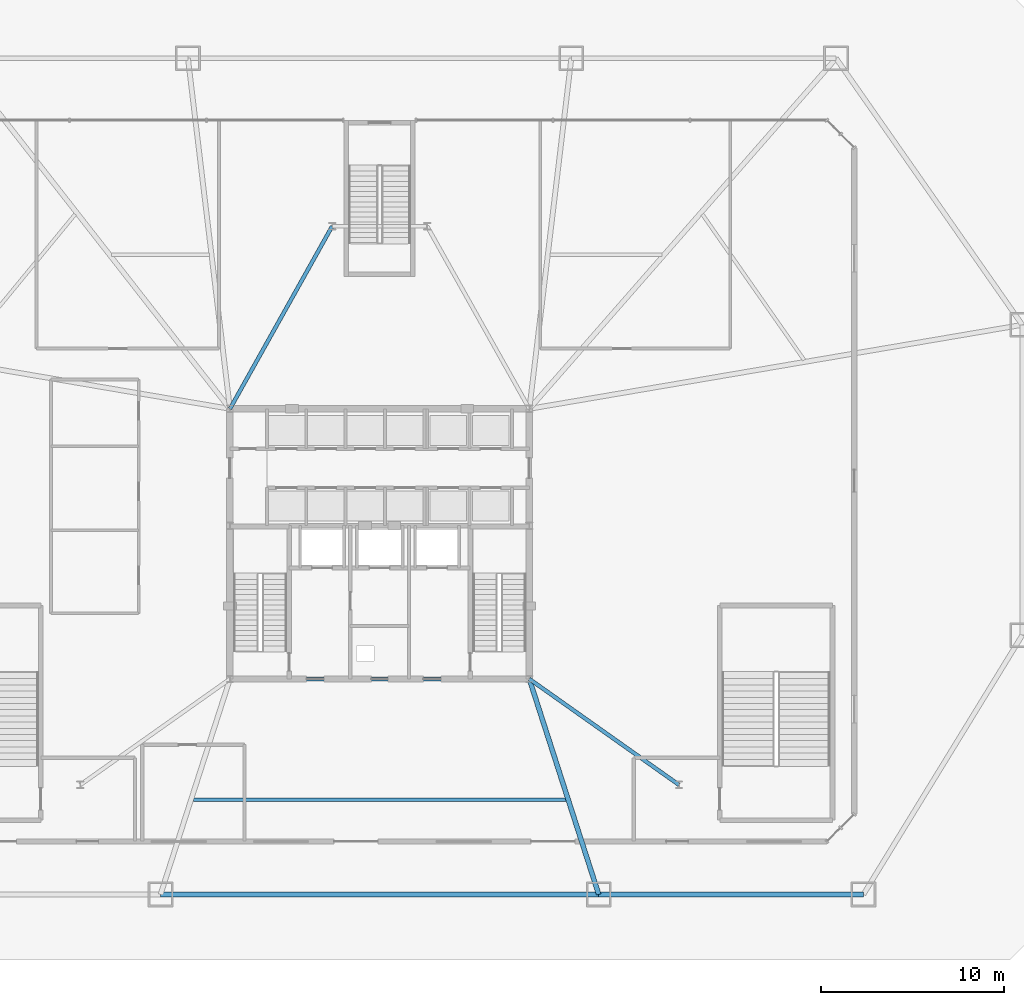
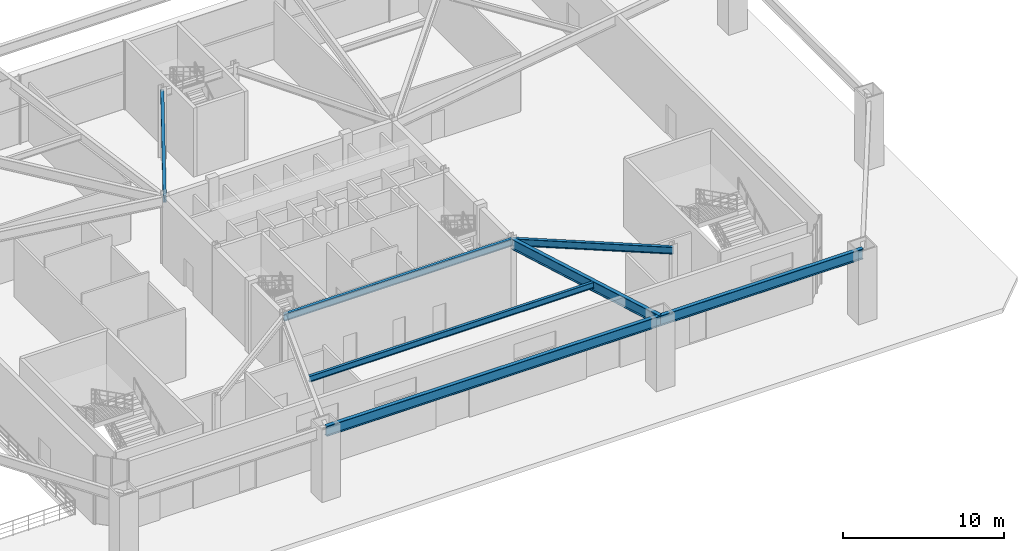
# One storey, part 6 of 20: 7 beams.
"""IFC4 building model written with IfcOpenShell, lengths in metres."""

import ifcopenshell
import ifcopenshell.guid

model = None  # the IFC model being written
_history = None  # IfcOwnerHistory: only IFC2X3 demands one
_inside = {}  # id of a spatial element -> (the spatial element, [elements in it])
_under = {}  # id of a project, library or spatial element -> (it, [spatial elements below it])
_declared = {}  # id of a project -> (the project, [libraries it declares])
_typed = {}  # id of a type object -> (the type object, [elements of that type])
_made_of = {}  # id of a material, layer set ... -> (it, [elements and type objects made of it])


def new_model(schema):
    """Start an empty IFC model of exactly this schema.

    Asked for "IFC4X3", IfcOpenShell would pick the latest addendum, in which some entities
    have other attributes; the version numbers below select the first issue.
    IFC2X3 requires an IfcOwnerHistory on every rooted entity: one is made here for all.
    """
    global model, _history
    if schema == "IFC4X3":
        model = ifcopenshell.file(schema_version=(4, 3, 0, 0))
    else:
        model = ifcopenshell.file(schema=schema)
    _inside.clear()
    _under.clear()
    _declared.clear()
    _typed.clear()
    _made_of.clear()
    _history = None
    if model.schema == "IFC2X3":
        org = make("IfcOrganization", Name="unknown")
        user = make(
            "IfcPersonAndOrganization",
            ThePerson=make("IfcPerson", FamilyName="unknown"),
            TheOrganization=org,
        )
        app = make(
            "IfcApplication",
            ApplicationDeveloper=org,
            Version="unknown",
            ApplicationFullName="unknown",
            ApplicationIdentifier="unknown",
        )
        _history = make(
            "IfcOwnerHistory",
            OwningUser=user,
            OwningApplication=app,
            ChangeAction="ADDED",
            CreationDate=0,
        )
    return model


def make(cls, **values):
    """One entity of the class cls with the attributes given. An attribute that is None is left unset."""
    return model.create_entity(
        cls, **{name: value for name, value in values.items() if value is not None}
    )


def rooted(cls, **values):
    """An entity with a GlobalId (a new one), such as an element, a storey or a relation."""
    return make(cls, GlobalId=ifcopenshell.guid.new(), OwnerHistory=_history, **values)


def si_unit(unit_type, name, prefix=None):
    """IfcSIUnit, for example si_unit("LENGTHUNIT", "METRE", prefix="MILLI")."""
    return make("IfcSIUnit", UnitType=unit_type, Prefix=prefix, Name=name)


def assignment(units):
    """IfcUnitAssignment: the units of a project."""
    return None if units is None else make("IfcUnitAssignment", Units=units)


def point(xyz):
    """IfcCartesianPoint."""
    return None if xyz is None else make("IfcCartesianPoint", Coordinates=xyz)


def direction(xyz):
    """IfcDirection."""
    return None if xyz is None else make("IfcDirection", DirectionRatios=xyz)


def frame(location, z_axis=None, x_axis=None):
    """IfcAxis2Placement3D, a coordinate frame: its origin and axes. An axis left out is left unset."""
    return make(
        "IfcAxis2Placement3D",
        Location=point(location),
        Axis=direction(z_axis),
        RefDirection=direction(x_axis),
    )


def frame_2d(location, x_axis=None):
    """IfcAxis2Placement2D, a coordinate frame in the plane: its origin and x axis."""
    return make(
        "IfcAxis2Placement2D", Location=point(location), RefDirection=direction(x_axis)
    )


def origin():
    """The frame at (0, 0, 0) with its axes left unset."""
    return frame((0.0, 0.0, 0.0))


def origin_2d():
    """The frame at (0, 0) in the plane with its x axis left unset."""
    return frame_2d((0.0, 0.0))


def place(relative_to, where):
    """IfcLocalPlacement: puts the frame where relative to a parent placement (None: the world)."""
    return make(
        "IfcLocalPlacement", PlacementRelTo=relative_to, RelativePlacement=where
    )


def context(
    kind, dimensions, precision=None, world=None, true_north=None, identifier=None
):
    """IfcGeometricRepresentationContext, for example the 3D "Model" context."""
    return make(
        "IfcGeometricRepresentationContext",
        ContextIdentifier=identifier,
        ContextType=kind,
        CoordinateSpaceDimension=dimensions,
        Precision=precision,
        WorldCoordinateSystem=world,
        TrueNorth=true_north,
    )


def subcontext(parent, identifier, kind, view, scale=None):
    """IfcGeometricRepresentationSubContext, for example "Body" below "Model"."""
    return make(
        "IfcGeometricRepresentationSubContext",
        ContextIdentifier=identifier,
        ContextType=kind,
        ParentContext=parent,
        TargetScale=scale,
        TargetView=view,
    )


def project(units=None, contexts=None):
    """IfcProject with its units and contexts."""
    return rooted(
        "IfcProject",
        Name="project",
        RepresentationContexts=contexts,
        UnitsInContext=assignment(units),
    )


def spatial(cls, under=None, at=None, **own):
    """A site, building, storey or space (cls), placed at a placement, below another one or the project."""
    s = rooted(cls, ObjectPlacement=at, **own)
    if under is not None:
        _under.setdefault(under.id(), (under, []))[1].append(s)
    return s


def profile(cls, at=None, kind="AREA", **sizes):
    """A parametric profile (cls). Its sizes go by their IFC names, for example OverallWidth=200.0."""
    return make(cls, ProfileType=kind, Position=at, **sizes)


def i_section(**sizes):
    """IfcIShapeProfileDef."""
    return profile("IfcIShapeProfileDef", **sizes)


def extrude(swept, where, along, depth):
    """IfcExtrudedAreaSolid: the profile swept, set in the frame where, extruded along a direction by depth."""
    return make(
        "IfcExtrudedAreaSolid",
        SweptArea=swept,
        Position=where,
        ExtrudedDirection=direction(along),
        Depth=depth,
    )


def shape(context_of_items, identifier, shape_type, items):
    """IfcShapeRepresentation: the items that make up one representation, for example the "Body"."""
    return make(
        "IfcShapeRepresentation",
        ContextOfItems=context_of_items,
        RepresentationIdentifier=identifier,
        RepresentationType=shape_type,
        Items=items,
    )


def material(Name=None, Category=None):
    """IfcMaterial."""
    return make("IfcMaterial", Name=Name, Category=Category)


def material_profile(
    of_material, cross_section, Name=None, Category=None, Priority=None
):
    """IfcMaterialProfile: a cross section and its material."""
    return make(
        "IfcMaterialProfile",
        Name=Name,
        Material=of_material,
        Profile=cross_section,
        Priority=Priority,
        Category=Category,
    )


def profile_set(profiles, Name=None, composite=None):
    """IfcMaterialProfileSet."""
    return make(
        "IfcMaterialProfileSet",
        Name=Name,
        MaterialProfiles=profiles,
        CompositeProfile=composite,
    )


def made_of(thing, what):
    """Note that an element or type object is made of a material, layer set ...; save() writes the relation."""
    if what is not None:
        _made_of.setdefault(what.id(), (what, []))[1].append(thing)
    return thing


def type_object(cls, material=None, **own):
    """A type object (cls), such as IfcWallType, which elements share."""
    return made_of(rooted(cls, **own), material)


def element(
    cls,
    number,
    at=None,
    inside=None,
    cuts=None,
    type_object=None,
    material=None,
    context=None,
    identifier="Body",
    shape_type=None,
    held_by="IfcProductDefinitionShape",
    body=None,
    shapes=None,
    **own,
):
    """One element of the class cls, such as IfcWall. Its Tag is "e" and its number.

    at: its placement. inside: the storey or other place that contains it. cuts: it is an
    opening in that element (IfcRelVoidsElement). A single representation is given by context,
    identifier, shape_type and body (its items); several are given by shapes. held_by: the class
    of the entity that holds the representations. save() writes the other relations.
    """
    e = rooted(cls, Tag="e%d" % number, ObjectPlacement=at, **own)
    if body is not None:
        shapes = [shape(context, identifier, shape_type, body)]
    if shapes is not None:
        e.Representation = make(held_by, Representations=shapes)
    if inside is not None:
        _inside.setdefault(inside.id(), (inside, []))[1].append(e)
    if cuts is not None:
        rooted(
            "IfcRelVoidsElement", RelatingBuildingElement=cuts, RelatedOpeningElement=e
        )
    if type_object is not None:
        _typed.setdefault(type_object.id(), (type_object, []))[1].append(e)
    return made_of(e, material)


def aggregate(whole, parts):
    """IfcRelAggregates: a whole, such as a stair, and the parts it consists of."""
    return rooted("IfcRelAggregates", RelatingObject=whole, RelatedObjects=parts)


def save(model, path):
    """Write the relations noted so far, then the file.

    IfcRelAggregates (storeys below a building ...), IfcRelContainedInSpatialStructure (elements
    in a storey), IfcRelDefinesByType, IfcRelAssociatesMaterial and IfcRelDeclares: one each for
    every whole, place, type object, material and project.
    """
    for whole, parts in _under.values():
        aggregate(whole, parts)
    for where, things in _inside.values():
        rooted(
            "IfcRelContainedInSpatialStructure",
            RelatedElements=things,
            RelatingStructure=where,
        )
    for kind, things in _typed.values():
        rooted("IfcRelDefinesByType", RelatedObjects=things, RelatingType=kind)
    for what, things in _made_of.values():
        rooted("IfcRelAssociatesMaterial", RelatedObjects=things, RelatingMaterial=what)
    for by, libraries in _declared.values():
        rooted("IfcRelDeclares", RelatingContext=by, RelatedDefinitions=libraries)
    model.write(path)


model = new_model("IFC4")

# Units and contexts
model_context = context("Model", 3, precision=1e-05, world=origin(), true_north=direction((0.0, 1.0)))
body_context = subcontext(model_context, "Body", "Model", "MODEL_VIEW")
ifc_project = project(units=[si_unit("LENGTHUNIT", "METRE"), si_unit("AREAUNIT", "SQUARE_METRE"), si_unit("VOLUMEUNIT", "CUBIC_METRE"), si_unit("PLANEANGLEUNIT", "RADIAN"), si_unit("MASSUNIT", "GRAM", prefix="KILO")], contexts=[model_context])

# Site, building, storey
site_placement = place(None, origin())
site = spatial("IfcSite", under=ifc_project, at=site_placement, CompositionType="ELEMENT")
building_placement = place(site_placement, origin())
building = spatial("IfcBuilding", under=site, at=building_placement, Name="Varakhsha Concourse Tower", CompositionType="ELEMENT")
storey_placement = place(building_placement, origin())
storey = spatial("IfcBuildingStorey", under=building, at=storey_placement, Name="L01", CompositionType="ELEMENT", Elevation=0.0)

# Beams
ifc_material = material(Name="Structural Steel ASTM A992 Grade 50", Category="steel")
ifc_material_profile_1 = material_profile(ifc_material, i_section(OverallWidth=0.26611328125, OverallDepth=0.779052734375, WebThickness=0.01708984375, FlangeThickness=0.030029296875, at=origin_2d()), Name="W30X148")
ifc_profile_set_1 = profile_set([ifc_material_profile_1], Name="Structural Steel ASTM A992 Grade 50")
beam_type_1 = type_object("IfcBeamType", Name="BM-BASE-W30X148", PredefinedType="USERDEFINED", material=ifc_profile_set_1)
beam_1_placement = place(storey_placement, frame((28.0, 4.60009765625, 4.83056640625), z_axis=(1.0, 0.0, 0.0), x_axis=(0.0, 1.0, 0.0)))
element("IfcBeam", 1, at=beam_1_placement, inside=storey, type_object=beam_type_1, Name="BM-PRING-L01-02", ObjectType="GIRDER", PredefinedType="USERDEFINED", context=body_context, shape_type="SweptSolid", body=[
    extrude(i_section(OverallWidth=0.26611328125, OverallDepth=0.779052734375, WebThickness=0.01708984375, FlangeThickness=0.030029296875, at=origin_2d()), origin(), (0.0, 0.0, 1.0), 24.0),
])
beam_2_placement = place(storey_placement, frame((52.0, 4.60009765625, 4.83056640625), z_axis=(1.0, 0.0, 0.0), x_axis=(0.0, 1.0, 0.0)))
element("IfcBeam", 2, at=beam_2_placement, inside=storey, type_object=beam_type_1, Name="BM-PRING-L01-03", ObjectType="GIRDER", PredefinedType="USERDEFINED", context=body_context, shape_type="SweptSolid", body=[
    extrude(i_section(OverallWidth=0.26611328125, OverallDepth=0.779052734375, WebThickness=0.01708984375, FlangeThickness=0.030029296875, at=origin_2d()), origin(), (0.0, 0.0, 1.0), 14.5),
])
beam_3_placement = place(storey_placement, frame((48.199951171875, 16.39990234375, 4.83056640625), z_axis=(0.306539531823, -0.951857928175, 0.0), x_axis=(0.951857928175, 0.306539531823, 0.0)))
element("IfcBeam", 3, at=beam_3_placement, inside=storey, type_object=beam_type_1, Name="BM-PRAD-L01-03", ObjectType="GIRDER", PredefinedType="USERDEFINED", context=body_context, shape_type="SweptSolid", body=[
    extrude(i_section(OverallWidth=0.26611328125, OverallDepth=0.779052734375, WebThickness=0.01708984375, FlangeThickness=0.030029296875, at=origin_2d()), origin(), (0.0, 0.0, 1.0), 12.396484375),
])
ifc_material_profile_2 = material_profile(ifc_material, i_section(OverallWidth=0.19091796875, OverallDepth=0.45703125, WebThickness=0.009033203125, FlangeThickness=0.013916015625, at=origin_2d()), Name="W18X50")
ifc_profile_set_2 = profile_set([ifc_material_profile_2], Name="Structural Steel ASTM A992 Grade 50")
beam_type_2 = type_object("IfcBeamType", Name="BM-JST-W18X50", PredefinedType="JOIST", material=ifc_profile_set_2)
beam_4_placement = place(storey_placement, frame((29.7919921875, 9.7919921875, 4.991455078125), z_axis=(1.0, 0.0, 0.0), x_axis=(0.0, 1.0, 0.0)))
element("IfcBeam", 4, at=beam_4_placement, inside=storey, type_object=beam_type_2, Name="BM-PJST-L01-02", PredefinedType="JOIST", context=body_context, shape_type="SweptSolid", body=[
    extrude(i_section(OverallWidth=0.19091796875, OverallDepth=0.45703125, WebThickness=0.009033203125, FlangeThickness=0.013916015625, at=origin_2d()), origin(), (0.0, 0.0, 1.0), 20.416015625),
])
ifc_material_profile_3 = material_profile(ifc_material, i_section(OverallWidth=0.2109375, OverallDepth=0.5390625, WebThickness=0.011962890625, FlangeThickness=0.01904296875, at=origin_2d()), Name="W21X73")
ifc_profile_set_3 = profile_set([ifc_material_profile_3], Name="Structural Steel ASTM A992 Grade 50")
beam_type_3 = type_object("IfcBeamType", Name="BM-RAD-W21X73", PredefinedType="BEAM", material=ifc_profile_set_3)
beam_5_placement = place(storey_placement, frame((31.800048828125, 16.39990234375, 4.950439453125), z_axis=(1.0, 0.0, 0.0), x_axis=(0.0, 1.0, 0.0)))
element("IfcBeam", 5, at=beam_5_placement, inside=storey, type_object=beam_type_3, Name="BM-CORE-L01-CS", PredefinedType="BEAM", context=body_context, shape_type="SweptSolid", body=[
    extrude(i_section(OverallWidth=0.2109375, OverallDepth=0.5390625, WebThickness=0.011962890625, FlangeThickness=0.01904296875, at=origin_2d()), origin(), (0.0, 0.0, 1.0), 16.39990234375),
])
beam_6_placement = place(storey_placement, frame((31.800048828125, 31.199951171875, 4.950439453125), z_axis=(0.488593639205, 0.872511464526, 0.0), x_axis=(-0.872511464526, 0.488593639205, 0.0)))
element("IfcBeam", 6, at=beam_6_placement, inside=storey, type_object=beam_type_3, Name="BM-CORE-L01-NSW", PredefinedType="BEAM", context=body_context, shape_type="SweptSolid", body=[
    extrude(i_section(OverallWidth=0.2109375, OverallDepth=0.5390625, WebThickness=0.011962890625, FlangeThickness=0.01904296875, at=origin_2d()), origin(), (0.0, 0.0, 1.0), 11.461181640625),
])
beam_7_placement = place(storey_placement, frame((48.199951171875, 16.39990234375, 4.950439453125), z_axis=(0.816423186202, -0.577454051014, 0.0), x_axis=(0.577454051014, 0.816423186202, 0.0)))
element("IfcBeam", 7, at=beam_7_placement, inside=storey, type_object=beam_type_3, Name="BM-CORE-L01-SSE", PredefinedType="BEAM", context=body_context, shape_type="SweptSolid", body=[
    extrude(i_section(OverallWidth=0.2109375, OverallDepth=0.5390625, WebThickness=0.011962890625, FlangeThickness=0.01904296875, at=origin_2d()), origin(), (0.0, 0.0, 1.0), 10.043701171875),
])

save(model, "model.ifc")
